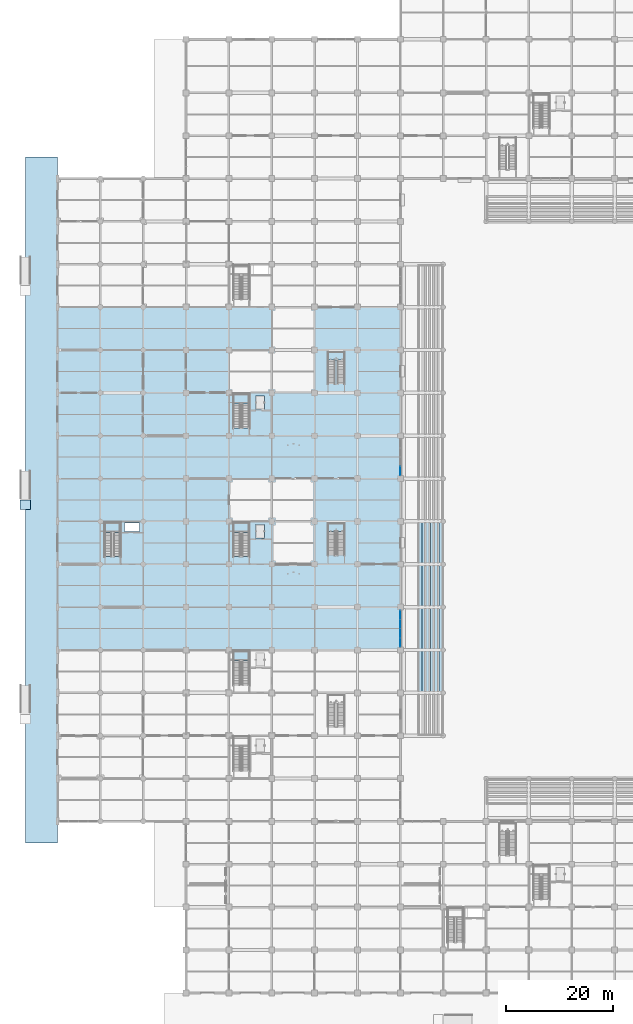
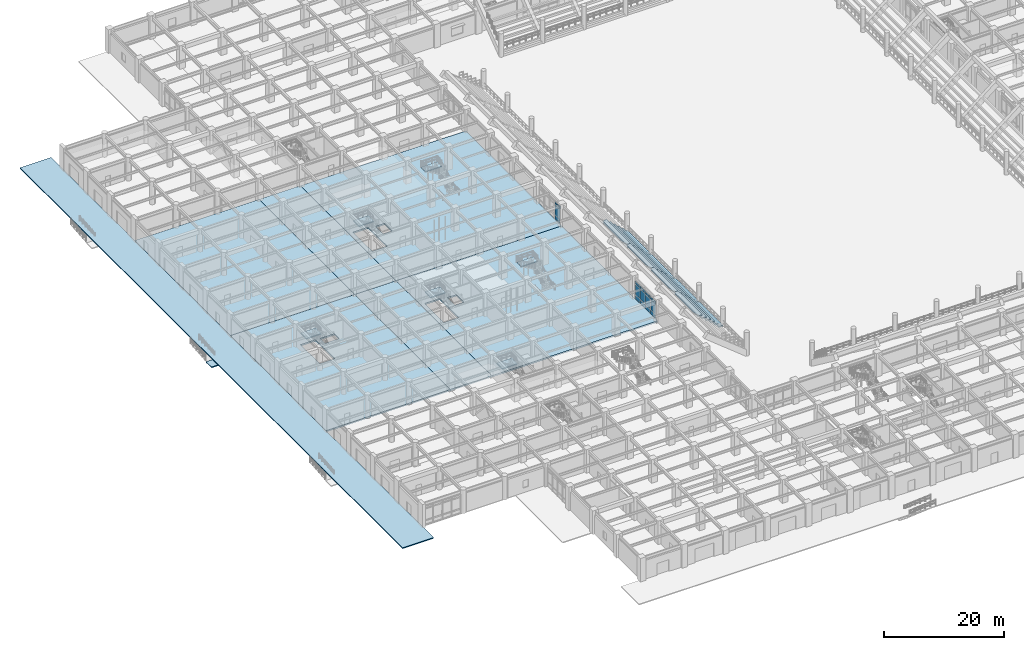
# One storey, part 60 of 125: 38 slabs, 15 plates, 8 elements without a shape of their own.
"""IFC4 building model written with IfcOpenShell, lengths in metres."""

from ifc_helpers import new_model, si_unit, direction, frame, origin, origin_2d, place, context, subcontext, project, spatial, polyline, rectangle, outline, extrude, material, layer, layer_set, type_object, element, aggregate, save


model = new_model("IFC4")

# Units and contexts
model_context = context("Model", 3, precision=1e-05, world=origin(), true_north=direction((0.0, 1.0)))
body_context = subcontext(model_context, "Body", "Model", "MODEL_VIEW")
ifc_project = project(units=[si_unit("LENGTHUNIT", "METRE"), si_unit("AREAUNIT", "SQUARE_METRE"), si_unit("VOLUMEUNIT", "CUBIC_METRE"), si_unit("PLANEANGLEUNIT", "RADIAN"), si_unit("MASSUNIT", "GRAM", prefix="KILO")], contexts=[model_context])

# Site, building, storey
site_placement = place(None, origin())
site = spatial("IfcSite", under=ifc_project, at=site_placement, CompositionType="ELEMENT")
building_placement = place(site_placement, origin())
building = spatial("IfcBuilding", under=site, at=building_placement, Name="Haebicheon Civic Stadium", CompositionType="ELEMENT")
storey_placement = place(building_placement, origin())
storey = spatial("IfcBuildingStorey", under=building, at=storey_placement, Name="L01", CompositionType="ELEMENT", Elevation=0.0)

# Curtain wall, plates
ifc_material_1 = material(Name="Anodised aluminium and laminated glass", Category="aluminium")
ifc_layer_1 = layer(ifc_material_1, 0.179931640625, Name="Anodised aluminium and laminated glass")
ifc_layer_set_1 = layer_set([ifc_layer_1], Name="Anodised aluminium and laminated glass")
curtain_wall_type = type_object("IfcCurtainWallType", Name="CW-6900x3620", PredefinedType="NOTDEFINED", material=ifc_layer_set_1)
curtain_wall_1_placement = place(storey_placement, origin())
curtain_wall_1 = element("IfcCurtainWall", 1, at=curtain_wall_1_placement, inside=storey, type_object=curtain_wall_type, material=ifc_layer_set_1, Name="L01 unitised curtain wall 006", PredefinedType="NOTDEFINED")
ifc_material_2 = material(Name="Double low-e laminated glass", Category="glass")
ifc_layer_2 = layer(ifc_material_2, 0.028076171875, Name="Double low-e laminated glass")
ifc_layer_set_2 = layer_set([ifc_layer_2], Name="Double low-e laminated glass")
plate_type_1 = type_object("IfcPlateType", Name="CWP-GLZ-28", PredefinedType="CURTAIN_PANEL", material=ifc_layer_set_2)
plate_1_placement = place(storey_placement, frame((64.0, 65.43310546875, 0.93994140625), z_axis=(0.0, 0.0, 1.0), x_axis=(0.0, 1.0, 0.0)))
plate_1 = element("IfcPlate", 2, at=plate_1_placement, type_object=plate_type_1, material=ifc_layer_set_2, Name="CW-L01-006 vision panel 1.2", PredefinedType="CURTAIN_PANEL", context=body_context, shape_type="SweptSolid", body=[
    extrude(rectangle(XDim=1.60498046875, YDim=0.028076171875, at=origin_2d()), origin(), (0.0, 0.0, 1.0), 2.090087890625),
])
plate_2_placement = place(storey_placement, frame((64.0, 67.137939453125, 0.93994140625), z_axis=(0.0, 0.0, 1.0), x_axis=(0.0, 1.0, 0.0)))
plate_2 = element("IfcPlate", 3, at=plate_2_placement, type_object=plate_type_1, material=ifc_layer_set_2, Name="CW-L01-006 vision panel 2.2", PredefinedType="CURTAIN_PANEL", context=body_context, shape_type="SweptSolid", body=[
    extrude(rectangle(XDim=1.64501953125, YDim=0.028076171875, at=origin_2d()), origin(), (0.0, 0.0, 1.0), 2.090087890625),
])
plate_3_placement = place(storey_placement, frame((64.0, 68.862060546875, 0.93994140625), z_axis=(0.0, 0.0, 1.0), x_axis=(0.0, 1.0, 0.0)))
plate_3 = element("IfcPlate", 4, at=plate_3_placement, type_object=plate_type_1, material=ifc_layer_set_2, Name="CW-L01-006 vision panel 3.2", PredefinedType="CURTAIN_PANEL", context=body_context, shape_type="SweptSolid", body=[
    extrude(rectangle(XDim=1.64501953125, YDim=0.028076171875, at=origin_2d()), origin(), (0.0, 0.0, 1.0), 2.090087890625),
])
plate_4_placement = place(storey_placement, frame((64.0, 70.568115234375, 0.93994140625), z_axis=(0.0, 0.0, 1.0), x_axis=(0.0, 1.0, 0.0)))
plate_4 = element("IfcPlate", 5, at=plate_4_placement, type_object=plate_type_1, material=ifc_layer_set_2, Name="CW-L01-006 vision panel 4.2", PredefinedType="CURTAIN_PANEL", context=body_context, shape_type="SweptSolid", body=[
    extrude(rectangle(XDim=1.60498046875, YDim=0.028076171875, at=origin_2d()), origin(), (0.0, 0.0, 1.0), 2.090087890625),
])

# Curtain wall, plate
curtain_wall_2_placement = place(storey_placement, origin())
curtain_wall_2 = element("IfcCurtainWall", 6, at=curtain_wall_2_placement, inside=storey, type_object=curtain_wall_type, material=ifc_layer_set_1, Name="L01 unitised curtain wall 007", PredefinedType="NOTDEFINED")
plate_5_placement = place(storey_placement, frame((64.0, 97.431884765625, 0.93994140625), z_axis=(0.0, 0.0, 1.0), x_axis=(0.0, 1.0, 0.0)))
plate_5 = element("IfcPlate", 7, at=plate_5_placement, type_object=plate_type_1, material=ifc_layer_set_2, Name="CW-L01-007 vision panel 1.2", PredefinedType="CURTAIN_PANEL", context=body_context, shape_type="SweptSolid", body=[
    extrude(rectangle(XDim=1.60498046875, YDim=0.028076171875, at=origin_2d()), origin(), (0.0, 0.0, 1.0), 2.090087890625),
])

# Plate
ifc_material_3 = material(Name="Anodised aluminium 6063-T6", Category="aluminium")
ifc_layer_3 = layer(ifc_material_3, 0.0439453125, Name="Anodised aluminium 6063-T6")
ifc_layer_set_3 = layer_set([ifc_layer_3], Name="Anodised aluminium 6063-T6")
plate_type_2 = type_object("IfcPlateType", Name="CWP-SPD-44", PredefinedType="CURTAIN_PANEL", material=ifc_layer_set_3)
plate_6_placement = place(storey_placement, frame((64.0, 65.43310546875, 0.0400390625), z_axis=(0.0, 0.0, 1.0), x_axis=(0.0, 1.0, 0.0)))
plate_6 = element("IfcPlate", 8, at=plate_6_placement, type_object=plate_type_2, material=ifc_layer_set_3, Name="CW-L01-006 spandrel panel 1.1", PredefinedType="CURTAIN_PANEL", context=body_context, shape_type="SweptSolid", body=[
    extrude(rectangle(XDim=1.60498046875, YDim=0.0439453125, at=origin_2d()), origin(), (0.0, 0.0, 1.0), 0.820068359375),
])

plate_7_placement = place(storey_placement, frame((64.0, 65.43310546875, 3.10986328125), z_axis=(0.0, 0.0, 1.0), x_axis=(0.0, 1.0, 0.0)))
plate_7 = element("IfcPlate", 9, at=plate_7_placement, type_object=plate_type_2, material=ifc_layer_set_3, Name="CW-L01-006 spandrel panel 1.3", PredefinedType="CURTAIN_PANEL", context=body_context, shape_type="SweptSolid", body=[
    extrude(rectangle(XDim=1.60498046875, YDim=0.0439453125, at=origin_2d()), origin(), (0.0, 0.0, 1.0), 0.469970703125),
])

plate_8_placement = place(storey_placement, frame((64.0, 67.137939453125, 0.0400390625), z_axis=(0.0, 0.0, 1.0), x_axis=(0.0, 1.0, 0.0)))
plate_8 = element("IfcPlate", 10, at=plate_8_placement, type_object=plate_type_2, material=ifc_layer_set_3, Name="CW-L01-006 spandrel panel 2.1", PredefinedType="CURTAIN_PANEL", context=body_context, shape_type="SweptSolid", body=[
    extrude(rectangle(XDim=1.64501953125, YDim=0.0439453125, at=origin_2d()), origin(), (0.0, 0.0, 1.0), 0.820068359375),
])

plate_9_placement = place(storey_placement, frame((64.0, 67.137939453125, 3.10986328125), z_axis=(0.0, 0.0, 1.0), x_axis=(0.0, 1.0, 0.0)))
plate_9 = element("IfcPlate", 11, at=plate_9_placement, type_object=plate_type_2, material=ifc_layer_set_3, Name="CW-L01-006 spandrel panel 2.3", PredefinedType="CURTAIN_PANEL", context=body_context, shape_type="SweptSolid", body=[
    extrude(rectangle(XDim=1.64501953125, YDim=0.0439453125, at=origin_2d()), origin(), (0.0, 0.0, 1.0), 0.469970703125),
])

plate_10_placement = place(storey_placement, frame((64.0, 68.862060546875, 0.0400390625), z_axis=(0.0, 0.0, 1.0), x_axis=(0.0, 1.0, 0.0)))
plate_10 = element("IfcPlate", 12, at=plate_10_placement, type_object=plate_type_2, material=ifc_layer_set_3, Name="CW-L01-006 spandrel panel 3.1", PredefinedType="CURTAIN_PANEL", context=body_context, shape_type="SweptSolid", body=[
    extrude(rectangle(XDim=1.64501953125, YDim=0.0439453125, at=origin_2d()), origin(), (0.0, 0.0, 1.0), 0.820068359375),
])

plate_11_placement = place(storey_placement, frame((64.0, 68.862060546875, 3.10986328125), z_axis=(0.0, 0.0, 1.0), x_axis=(0.0, 1.0, 0.0)))
plate_11 = element("IfcPlate", 13, at=plate_11_placement, type_object=plate_type_2, material=ifc_layer_set_3, Name="CW-L01-006 spandrel panel 3.3", PredefinedType="CURTAIN_PANEL", context=body_context, shape_type="SweptSolid", body=[
    extrude(rectangle(XDim=1.64501953125, YDim=0.0439453125, at=origin_2d()), origin(), (0.0, 0.0, 1.0), 0.469970703125),
])

plate_12_placement = place(storey_placement, frame((64.0, 70.568115234375, 0.0400390625), z_axis=(0.0, 0.0, 1.0), x_axis=(0.0, 1.0, 0.0)))
plate_12 = element("IfcPlate", 14, at=plate_12_placement, type_object=plate_type_2, material=ifc_layer_set_3, Name="CW-L01-006 spandrel panel 4.1", PredefinedType="CURTAIN_PANEL", context=body_context, shape_type="SweptSolid", body=[
    extrude(rectangle(XDim=1.60498046875, YDim=0.0439453125, at=origin_2d()), origin(), (0.0, 0.0, 1.0), 0.820068359375),
])

plate_13_placement = place(storey_placement, frame((64.0, 70.568115234375, 3.10986328125), z_axis=(0.0, 0.0, 1.0), x_axis=(0.0, 1.0, 0.0)))
plate_13 = element("IfcPlate", 15, at=plate_13_placement, type_object=plate_type_2, material=ifc_layer_set_3, Name="CW-L01-006 spandrel panel 4.3", PredefinedType="CURTAIN_PANEL", context=body_context, shape_type="SweptSolid", body=[
    extrude(rectangle(XDim=1.60498046875, YDim=0.0439453125, at=origin_2d()), origin(), (0.0, 0.0, 1.0), 0.469970703125),
])

aggregate(curtain_wall_1, [plate_6, plate_1, plate_7, plate_8, plate_2, plate_9, plate_10, plate_3, plate_11, plate_12, plate_4, plate_13])

plate_14_placement = place(storey_placement, frame((64.0, 97.431884765625, 0.0400390625), z_axis=(0.0, 0.0, 1.0), x_axis=(0.0, 1.0, 0.0)))
plate_14 = element("IfcPlate", 16, at=plate_14_placement, type_object=plate_type_2, material=ifc_layer_set_3, Name="CW-L01-007 spandrel panel 1.1", PredefinedType="CURTAIN_PANEL", context=body_context, shape_type="SweptSolid", body=[
    extrude(rectangle(XDim=1.60498046875, YDim=0.0439453125, at=origin_2d()), origin(), (0.0, 0.0, 1.0), 0.820068359375),
])

plate_15_placement = place(storey_placement, frame((64.0, 97.431884765625, 3.10986328125), z_axis=(0.0, 0.0, 1.0), x_axis=(0.0, 1.0, 0.0)))
plate_15 = element("IfcPlate", 17, at=plate_15_placement, type_object=plate_type_2, material=ifc_layer_set_3, Name="CW-L01-007 spandrel panel 1.3", PredefinedType="CURTAIN_PANEL", context=body_context, shape_type="SweptSolid", body=[
    extrude(rectangle(XDim=1.60498046875, YDim=0.0439453125, at=origin_2d()), origin(), (0.0, 0.0, 1.0), 0.469970703125),
])

aggregate(curtain_wall_2, [plate_14, plate_5, plate_15])

# Slabs
ifc_material_4 = material(Name="Concrete C40/50", Category="concrete")
ifc_layer_4 = layer(ifc_material_4, 0.300048828125, Name="Concrete C40/50")
ifc_layer_set_4 = layer_set([ifc_layer_4], Name="Concrete C40/50")
slab_type_1 = type_object("IfcSlabType", Name="SLB-FLR-300", PredefinedType="FLOOR", material=ifc_layer_set_4)
slab_1_placement = place(storey_placement, frame((0.0, 0.0, -0.300048828125)))
element("IfcSlab", 18, at=slab_1_placement, inside=storey, type_object=slab_type_1, material=ifc_layer_set_4, Name="L01 V1 structural slab 3.1", PredefinedType="FLOOR", context=body_context, shape_type="SweptSolid", body=[
    extrude(outline(polyline([(24.0, 64.0), (24.0, 72.0), (24.0, 80.0), (24.0, 88.0), (24.0, 96.0), (32.0, 96.0), (32.0, 88.0), (32.0, 80.0), (32.0, 72.0), (32.0, 64.0), (24.0, 64.0)])), origin(), (0.0, 0.0, 1.0), 0.300048828125),
])
slab_2_placement = place(storey_placement, frame((0.0, 0.0, -0.300048828125)))
element("IfcSlab", 19, at=slab_2_placement, inside=storey, type_object=slab_type_1, material=ifc_layer_set_4, Name="L01 V1 structural slab 4.1", PredefinedType="FLOOR", context=body_context, shape_type="SweptSolid", body=[
    extrude(outline(polyline([(24.0, 96.0), (24.0, 104.0), (24.0, 112.0), (24.0, 120.0), (24.0, 128.0), (32.0, 128.0), (32.0, 120.0), (32.0, 112.0), (32.0, 104.0), (32.0, 96.0), (24.0, 96.0)])), origin(), (0.0, 0.0, 1.0), 0.300048828125),
])
slab_3_placement = place(storey_placement, frame((0.0, 0.0, -0.300048828125)))
element("IfcSlab", 20, at=slab_3_placement, inside=storey, type_object=slab_type_1, material=ifc_layer_set_4, Name="L01 V1 structural slab 9.1", PredefinedType="FLOOR", context=body_context, shape_type="SweptSolid", body=[
    extrude(outline(polyline([(32.0, 88.0), (32.0, 96.0), (40.0, 96.0), (48.0, 96.0), (56.0, 96.0), (64.0, 96.0), (64.0, 88.0), (64.0, 80.0), (64.0, 72.0), (64.0, 64.0), (56.0, 64.0), (48.0, 64.0), (40.0, 64.0), (32.0, 64.0), (32.0, 72.0), (32.0, 80.0), (32.0, 88.0)]), holes=[polyline([(32.840087890625, 81.4599609375), (35.739990234375, 81.4599609375), (35.739990234375, 87.840087890625), (32.840087890625, 87.840087890625), (32.840087890625, 81.4599609375)]), polyline([(36.969970703125, 84.929931640625), (38.669921875, 84.929931640625), (38.669921875, 87.429931640625), (36.969970703125, 87.429931640625), (36.969970703125, 84.929931640625)])]), origin(), (0.0, 0.0, 1.0), 0.300048828125),
])
slab_4_placement = place(storey_placement, frame((0.0, 0.0, -0.300048828125)))
element("IfcSlab", 21, at=slab_4_placement, inside=storey, type_object=slab_type_1, material=ifc_layer_set_4, Name="L01 V1 structural slab 10.1", PredefinedType="FLOOR", context=body_context, shape_type="SweptSolid", body=[
    extrude(outline(polyline([(32.0, 120.0), (32.0, 128.0), (40.0, 128.0), (48.0, 128.0), (56.0, 128.0), (64.0, 128.0), (64.0, 120.0), (64.0, 112.0), (64.0, 104.0), (64.0, 96.0), (56.0, 96.0), (48.0, 96.0), (40.0, 96.0), (32.0, 96.0), (32.0, 104.0), (32.0, 112.0), (32.0, 120.0)]), holes=[polyline([(32.840087890625, 105.4599609375), (35.739990234375, 105.4599609375), (35.739990234375, 111.840087890625), (32.840087890625, 111.840087890625), (32.840087890625, 105.4599609375)]), polyline([(36.969970703125, 108.929931640625), (38.669921875, 108.929931640625), (38.669921875, 111.429931640625), (36.969970703125, 111.429931640625), (36.969970703125, 108.929931640625)])]), origin(), (0.0, 0.0, 1.0), 0.300048828125),
])
slab_5_placement = place(storey_placement, frame((0.0, 0.0, -0.300048828125)))
element("IfcSlab", 22, at=slab_5_placement, inside=storey, type_object=slab_type_1, material=ifc_layer_set_4, Name="L01 V5 structural slab 2.1", PredefinedType="FLOOR", context=body_context, shape_type="SweptSolid", body=[
    extrude(outline(polyline([(0.0, 80.0), (0.0, 88.0), (0.0, 96.0), (8.0, 96.0), (16.0, 96.0), (24.0, 96.0), (24.0, 88.0), (24.0, 80.0), (24.0, 72.0), (24.0, 64.0), (16.0, 64.0), (8.0, 64.0), (0.0, 64.0), (0.0, 72.0), (0.0, 80.0)]), holes=[polyline([(8.840087890625, 81.4599609375), (11.739990234375, 81.4599609375), (11.739990234375, 87.840087890625), (8.840087890625, 87.840087890625), (8.840087890625, 81.4599609375)]), polyline([(12.550048828125, 86.14990234375), (15.35009765625, 86.14990234375), (15.35009765625, 87.75), (12.550048828125, 87.75), (12.550048828125, 86.14990234375)])]), origin(), (0.0, 0.0, 1.0), 0.300048828125),
])
slab_6_placement = place(storey_placement, frame((0.0, 0.0, -0.300048828125)))
element("IfcSlab", 23, at=slab_6_placement, inside=storey, type_object=slab_type_1, material=ifc_layer_set_4, Name="L01 V5 structural slab 3.1", PredefinedType="FLOOR", context=body_context, shape_type="SweptSolid", body=[
    extrude(outline(polyline([(0.0, 112.0), (0.0, 120.0), (0.0, 128.0), (8.0, 128.0), (16.0, 128.0), (24.0, 128.0), (24.0, 120.0), (24.0, 112.0), (24.0, 104.0), (24.0, 96.0), (16.0, 96.0), (8.0, 96.0), (0.0, 96.0), (0.0, 104.0), (0.0, 112.0)])), origin(), (0.0, 0.0, 1.0), 0.300048828125),
])

# Stair, slab
ifc_material_5 = material(Name="Concrete C40/50", Category="concrete")
stair_type_1 = type_object("IfcStairType", Name="STR-DL-W128-H48", PredefinedType="HALF_TURN_STAIR", material=ifc_material_5)
stair_1_placement = place(storey_placement, origin())
stair_1 = element("IfcStair", 24, at=stair_1_placement, inside=storey, type_object=stair_type_1, material=ifc_material_5, Name="L01 Escape stair ST-02", PredefinedType="HALF_TURN_STAIR")
ifc_material_6 = material(Name="Concrete C40/50", Category="concrete")
ifc_layer_5 = layer(ifc_material_6, 0.199951171875, Name="Concrete C40/50")
ifc_layer_set_5 = layer_set([ifc_layer_5], Name="Concrete C40/50")
slab_type_2 = type_object("IfcSlabType", Name="SLB-LND-200", PredefinedType="LANDING", material=ifc_layer_set_5)
slab_7_placement = place(storey_placement, frame((0.0, 0.0, 2.199951171875)))
slab_7 = element("IfcSlab", 25, at=slab_7_placement, type_object=slab_type_2, material=ifc_layer_set_5, Name="ST-02 landing 1", PredefinedType="LANDING", context=body_context, shape_type="SweptSolid", body=[
    extrude(outline(polyline([(35.739990234375, 61.949951171875), (35.739990234375, 63.840087890625), (32.840087890625, 63.840087890625), (32.840087890625, 61.949951171875), (35.739990234375, 61.949951171875)])), origin(), (0.0, 0.0, 1.0), 0.199951171875),
])
aggregate(stair_1, [slab_7])

ifc_material_7 = material(Name="Concrete C40/50", Category="concrete")
stair_type_2 = type_object("IfcStairType", Name="STR-DL-W126-H48", PredefinedType="HALF_TURN_STAIR", material=ifc_material_7)
stair_2_placement = place(storey_placement, origin())
stair_2 = element("IfcStair", 26, at=stair_2_placement, inside=storey, type_object=stair_type_2, material=ifc_material_7, Name="L01 Escape stair ST-03", PredefinedType="HALF_TURN_STAIR")
slab_8_placement = place(storey_placement, frame((0.0, 0.0, 2.199951171875)))
slab_8 = element("IfcSlab", 27, at=slab_8_placement, type_object=slab_type_2, material=ifc_layer_set_5, Name="ST-03 landing 1", PredefinedType="LANDING", context=body_context, shape_type="SweptSolid", body=[
    extrude(outline(polyline([(35.739990234375, 85.949951171875), (35.739990234375, 87.840087890625), (32.840087890625, 87.840087890625), (32.840087890625, 85.949951171875), (35.739990234375, 85.949951171875)])), origin(), (0.0, 0.0, 1.0), 0.199951171875),
])
aggregate(stair_2, [slab_8])

stair_3_placement = place(storey_placement, origin())
stair_3 = element("IfcStair", 28, at=stair_3_placement, inside=storey, type_object=stair_type_1, material=ifc_material_5, Name="L01 Escape stair ST-04", PredefinedType="HALF_TURN_STAIR")
slab_9_placement = place(storey_placement, frame((0.0, 0.0, 2.199951171875)))
slab_9 = element("IfcSlab", 29, at=slab_9_placement, type_object=slab_type_2, material=ifc_layer_set_5, Name="ST-04 landing 1", PredefinedType="LANDING", context=body_context, shape_type="SweptSolid", body=[
    extrude(outline(polyline([(35.739990234375, 109.949951171875), (35.739990234375, 111.840087890625), (32.840087890625, 111.840087890625), (32.840087890625, 109.949951171875), (35.739990234375, 109.949951171875)])), origin(), (0.0, 0.0, 1.0), 0.199951171875),
])
aggregate(stair_3, [slab_9])

stair_4_placement = place(storey_placement, origin())
stair_4 = element("IfcStair", 30, at=stair_4_placement, inside=storey, type_object=stair_type_2, material=ifc_material_7, Name="L01 Escape stair ST-15", PredefinedType="HALF_TURN_STAIR")
slab_10_placement = place(storey_placement, frame((0.0, 0.0, 2.199951171875)))
slab_10 = element("IfcSlab", 31, at=slab_10_placement, type_object=slab_type_2, material=ifc_layer_set_5, Name="ST-15 landing 1", PredefinedType="LANDING", context=body_context, shape_type="SweptSolid", body=[
    extrude(outline(polyline([(11.739990234375, 85.949951171875), (11.739990234375, 87.840087890625), (8.840087890625, 87.840087890625), (8.840087890625, 85.949951171875), (11.739990234375, 85.949951171875)])), origin(), (0.0, 0.0, 1.0), 0.199951171875),
])
aggregate(stair_4, [slab_10])

ifc_material_8 = material(Name="Concrete C40/50", Category="concrete")
stair_type_3 = type_object("IfcStairType", Name="STR-DL-W140-H48", PredefinedType="HALF_TURN_STAIR", material=ifc_material_8)
stair_5_placement = place(storey_placement, origin())
stair_5 = element("IfcStair", 32, at=stair_5_placement, inside=storey, type_object=stair_type_3, material=ifc_material_8, Name="Vomitory stair VM-02 (L01)", PredefinedType="HALF_TURN_STAIR")
slab_11_placement = place(storey_placement, frame((0.0, 0.0, 2.199951171875)))
slab_11 = element("IfcSlab", 33, at=slab_11_placement, type_object=slab_type_2, material=ifc_layer_set_5, Name="VM-02 landing 1", PredefinedType="LANDING", context=body_context, shape_type="SweptSolid", body=[
    extrude(outline(polyline([(53.639892578125, 86.14990234375), (53.639892578125, 87.64990234375), (50.4599609375, 87.64990234375), (50.4599609375, 86.14990234375), (53.639892578125, 86.14990234375)])), origin(), (0.0, 0.0, 1.0), 0.199951171875),
])
aggregate(stair_5, [slab_11])

ifc_material_9 = material(Name="Concrete C40/50", Category="concrete")
stair_type_4 = type_object("IfcStairType", Name="STR-DL-W136-H48", PredefinedType="HALF_TURN_STAIR", material=ifc_material_9)
stair_6_placement = place(storey_placement, origin())
stair_6 = element("IfcStair", 34, at=stair_6_placement, inside=storey, type_object=stair_type_4, material=ifc_material_9, Name="Vomitory stair VM-03 (L01)", PredefinedType="HALF_TURN_STAIR")
slab_12_placement = place(storey_placement, frame((0.0, 0.0, 2.199951171875)))
slab_12 = element("IfcSlab", 35, at=slab_12_placement, type_object=slab_type_2, material=ifc_layer_set_5, Name="VM-03 landing 1", PredefinedType="LANDING", context=body_context, shape_type="SweptSolid", body=[
    extrude(outline(polyline([(53.639892578125, 118.14990234375), (53.639892578125, 119.64990234375), (50.4599609375, 119.64990234375), (50.4599609375, 118.14990234375), (53.639892578125, 118.14990234375)])), origin(), (0.0, 0.0, 1.0), 0.199951171875),
])
aggregate(stair_6, [slab_12])

# Slabs
ifc_material_10 = material(Name="Precast concrete C35/45", Category="concrete")
ifc_layer_6 = layer(ifc_material_10, 0.199951171875, Name="Precast concrete C35/45")
ifc_layer_set_6 = layer_set([ifc_layer_6], Name="Precast concrete C35/45")
slab_type_3 = type_object("IfcSlabType", Name="SLB-PAV-200", PredefinedType="BASESLAB", material=ifc_layer_set_6)
slab_13_placement = place(storey_placement, frame((0.0, 0.0, -0.199951171875)))
element("IfcSlab", 36, at=slab_13_placement, inside=storey, type_object=slab_type_3, material=ifc_layer_set_6, Name="Exterior plaza paving apron APR-WEST-BOUL", PredefinedType="BASESLAB", context=body_context, shape_type="SweptSolid", body=[
    extrude(outline(polyline([(0.0, 28.0), (-6.0, 28.0), (-6.0, 156.0), (0.0, 156.0), (0.0, 152.0048828125), (-0.0048828125, 152.0048828125), (-0.0048828125, 31.9951171875), (0.0, 31.9951171875), (0.0, 28.0)])), origin(), (0.0, 0.0, 1.0), 0.199951171875),
])
slab_14_placement = place(storey_placement, frame((0.0, 0.0, -0.64990234375)))
element("IfcSlab", 37, at=slab_14_placement, inside=storey, type_object=slab_type_3, material=ifc_layer_set_6, Name="Exterior paving ramp landing RMP-02", PredefinedType="BASESLAB", context=body_context, shape_type="SweptSolid", body=[
    extrude(outline(polyline([(-7.0, 90.199951171875), (-5.0, 90.199951171875), (-5.0, 92.0), (-7.0, 92.0), (-7.0, 90.199951171875)])), origin(), (0.0, 0.0, 1.0), 0.199951171875),
])
ifc_material_11 = material(Name="Precast concrete C40/50", Category="concrete")
ifc_layer_7 = layer(ifc_material_11, 0.239990234375, Name="Precast concrete C40/50")
ifc_layer_set_7 = layer_set([ifc_layer_7], Name="Precast concrete C40/50")
slab_type_4 = type_object("IfcSlabType", Name="SLB-TIER-240", PredefinedType="USERDEFINED", material=ifc_layer_set_7)
slab_15_placement = place(storey_placement, frame((0.0, 0.0, 0.9599609375)))
element("IfcSlab", 38, at=slab_15_placement, inside=storey, type_object=slab_type_4, material=ifc_layer_set_7, Name="TIER-W-L precast seating tier bay 2 row-band 1", ObjectType="SEATING TIER", PredefinedType="USERDEFINED", context=body_context, shape_type="SweptSolid", body=[
    extrude(outline(polyline([(71.199951171875, 56.0), (72.0, 56.0), (72.0, 64.0), (71.199951171875, 64.0), (71.199951171875, 56.0)])), origin(), (0.0, 0.0, 1.0), 0.239990234375),
])
slab_16_placement = place(storey_placement, frame((0.0, 0.0, 1.6708984375)))
element("IfcSlab", 39, at=slab_16_placement, inside=storey, type_object=slab_type_4, material=ifc_layer_set_7, Name="TIER-W-L precast seating tier bay 2 row-band 2", ObjectType="SEATING TIER", PredefinedType="USERDEFINED", context=body_context, shape_type="SweptSolid", body=[
    extrude(outline(polyline([(70.39990234375, 56.0), (71.199951171875, 56.0), (71.199951171875, 64.0), (70.39990234375, 64.0), (70.39990234375, 56.0)])), origin(), (0.0, 0.0, 1.0), 0.239990234375),
])
slab_17_placement = place(storey_placement, frame((0.0, 0.0, 2.382080078125)))
element("IfcSlab", 40, at=slab_17_placement, inside=storey, type_object=slab_type_4, material=ifc_layer_set_7, Name="TIER-W-L precast seating tier bay 2 row-band 3", ObjectType="SEATING TIER", PredefinedType="USERDEFINED", context=body_context, shape_type="SweptSolid", body=[
    extrude(outline(polyline([(69.60009765625, 56.0), (70.39990234375, 56.0), (70.39990234375, 64.0), (69.60009765625, 64.0), (69.60009765625, 56.0)])), origin(), (0.0, 0.0, 1.0), 0.239990234375),
])
slab_18_placement = place(storey_placement, frame((0.0, 0.0, 3.093017578125)))
element("IfcSlab", 41, at=slab_18_placement, inside=storey, type_object=slab_type_4, material=ifc_layer_set_7, Name="TIER-W-L precast seating tier bay 2 row-band 4", ObjectType="SEATING TIER", PredefinedType="USERDEFINED", context=body_context, shape_type="SweptSolid", body=[
    extrude(outline(polyline([(68.800048828125, 56.0), (69.60009765625, 56.0), (69.60009765625, 64.0), (68.800048828125, 64.0), (68.800048828125, 56.0)])), origin(), (0.0, 0.0, 1.0), 0.239990234375),
])
slab_19_placement = place(storey_placement, frame((0.0, 0.0, 3.803955078125)))
element("IfcSlab", 42, at=slab_19_placement, inside=storey, type_object=slab_type_4, material=ifc_layer_set_7, Name="TIER-W-L precast seating tier bay 2 row-band 5", ObjectType="SEATING TIER", PredefinedType="USERDEFINED", context=body_context, shape_type="SweptSolid", body=[
    extrude(outline(polyline([(68.0, 56.0), (68.800048828125, 56.0), (68.800048828125, 64.0), (68.0, 64.0), (68.0, 56.0)])), origin(), (0.0, 0.0, 1.0), 0.239990234375),
])
slab_20_placement = place(storey_placement, frame((0.0, 0.0, 4.51611328125)))
element("IfcSlab", 43, at=slab_20_placement, inside=storey, type_object=slab_type_4, material=ifc_layer_set_7, Name="TIER-W-L precast seating tier bay 2 row-band 6", ObjectType="SEATING TIER", PredefinedType="USERDEFINED", context=body_context, shape_type="SweptSolid", body=[
    extrude(outline(polyline([(67.199951171875, 56.0), (68.0, 56.0), (68.0, 64.0), (67.199951171875, 64.0), (67.199951171875, 56.0)])), origin(), (0.0, 0.0, 1.0), 0.239990234375),
])
slab_21_placement = place(storey_placement, frame((0.0, 0.0, 0.9599609375)))
element("IfcSlab", 44, at=slab_21_placement, inside=storey, type_object=slab_type_4, material=ifc_layer_set_7, Name="TIER-W-L precast seating tier bay 3 row-band 1", ObjectType="SEATING TIER", PredefinedType="USERDEFINED", context=body_context, shape_type="SweptSolid", body=[
    extrude(outline(polyline([(71.199951171875, 64.0), (72.0, 64.0), (72.0, 72.0), (71.199951171875, 72.0), (71.199951171875, 64.0)])), origin(), (0.0, 0.0, 1.0), 0.239990234375),
])
slab_22_placement = place(storey_placement, frame((0.0, 0.0, 1.6708984375)))
element("IfcSlab", 45, at=slab_22_placement, inside=storey, type_object=slab_type_4, material=ifc_layer_set_7, Name="TIER-W-L precast seating tier bay 3 row-band 2", ObjectType="SEATING TIER", PredefinedType="USERDEFINED", context=body_context, shape_type="SweptSolid", body=[
    extrude(outline(polyline([(70.39990234375, 64.0), (71.199951171875, 64.0), (71.199951171875, 72.0), (70.39990234375, 72.0), (70.39990234375, 64.0)])), origin(), (0.0, 0.0, 1.0), 0.239990234375),
])
slab_23_placement = place(storey_placement, frame((0.0, 0.0, 2.382080078125)))
element("IfcSlab", 46, at=slab_23_placement, inside=storey, type_object=slab_type_4, material=ifc_layer_set_7, Name="TIER-W-L precast seating tier bay 3 row-band 3", ObjectType="SEATING TIER", PredefinedType="USERDEFINED", context=body_context, shape_type="SweptSolid", body=[
    extrude(outline(polyline([(69.60009765625, 64.0), (70.39990234375, 64.0), (70.39990234375, 72.0), (69.60009765625, 72.0), (69.60009765625, 64.0)])), origin(), (0.0, 0.0, 1.0), 0.239990234375),
])
slab_24_placement = place(storey_placement, frame((0.0, 0.0, 3.093017578125)))
element("IfcSlab", 47, at=slab_24_placement, inside=storey, type_object=slab_type_4, material=ifc_layer_set_7, Name="TIER-W-L precast seating tier bay 3 row-band 4", ObjectType="SEATING TIER", PredefinedType="USERDEFINED", context=body_context, shape_type="SweptSolid", body=[
    extrude(outline(polyline([(68.800048828125, 64.0), (69.60009765625, 64.0), (69.60009765625, 72.0), (68.800048828125, 72.0), (68.800048828125, 64.0)])), origin(), (0.0, 0.0, 1.0), 0.239990234375),
])
slab_25_placement = place(storey_placement, frame((0.0, 0.0, 3.803955078125)))
element("IfcSlab", 48, at=slab_25_placement, inside=storey, type_object=slab_type_4, material=ifc_layer_set_7, Name="TIER-W-L precast seating tier bay 3 row-band 5", ObjectType="SEATING TIER", PredefinedType="USERDEFINED", context=body_context, shape_type="SweptSolid", body=[
    extrude(outline(polyline([(68.0, 64.0), (68.800048828125, 64.0), (68.800048828125, 72.0), (68.0, 72.0), (68.0, 64.0)])), origin(), (0.0, 0.0, 1.0), 0.239990234375),
])
slab_26_placement = place(storey_placement, frame((0.0, 0.0, 4.51611328125)))
element("IfcSlab", 49, at=slab_26_placement, inside=storey, type_object=slab_type_4, material=ifc_layer_set_7, Name="TIER-W-L precast seating tier bay 3 row-band 6", ObjectType="SEATING TIER", PredefinedType="USERDEFINED", context=body_context, shape_type="SweptSolid", body=[
    extrude(outline(polyline([(67.199951171875, 64.0), (68.0, 64.0), (68.0, 72.0), (67.199951171875, 72.0), (67.199951171875, 64.0)])), origin(), (0.0, 0.0, 1.0), 0.239990234375),
])
slab_27_placement = place(storey_placement, frame((0.0, 0.0, 0.9599609375)))
element("IfcSlab", 50, at=slab_27_placement, inside=storey, type_object=slab_type_4, material=ifc_layer_set_7, Name="TIER-W-L precast seating tier bay 4 row-band 1", ObjectType="SEATING TIER", PredefinedType="USERDEFINED", context=body_context, shape_type="SweptSolid", body=[
    extrude(outline(polyline([(71.199951171875, 72.0), (72.0, 72.0), (72.0, 80.0), (71.199951171875, 80.0), (71.199951171875, 72.0)])), origin(), (0.0, 0.0, 1.0), 0.239990234375),
])
slab_28_placement = place(storey_placement, frame((0.0, 0.0, 1.6708984375)))
element("IfcSlab", 51, at=slab_28_placement, inside=storey, type_object=slab_type_4, material=ifc_layer_set_7, Name="TIER-W-L precast seating tier bay 4 row-band 2", ObjectType="SEATING TIER", PredefinedType="USERDEFINED", context=body_context, shape_type="SweptSolid", body=[
    extrude(outline(polyline([(70.39990234375, 72.0), (71.199951171875, 72.0), (71.199951171875, 80.0), (70.39990234375, 80.0), (70.39990234375, 72.0)])), origin(), (0.0, 0.0, 1.0), 0.239990234375),
])
slab_29_placement = place(storey_placement, frame((0.0, 0.0, 2.382080078125)))
element("IfcSlab", 52, at=slab_29_placement, inside=storey, type_object=slab_type_4, material=ifc_layer_set_7, Name="TIER-W-L precast seating tier bay 4 row-band 3", ObjectType="SEATING TIER", PredefinedType="USERDEFINED", context=body_context, shape_type="SweptSolid", body=[
    extrude(outline(polyline([(69.60009765625, 72.0), (70.39990234375, 72.0), (70.39990234375, 80.0), (69.60009765625, 80.0), (69.60009765625, 72.0)])), origin(), (0.0, 0.0, 1.0), 0.239990234375),
])
slab_30_placement = place(storey_placement, frame((0.0, 0.0, 3.093017578125)))
element("IfcSlab", 53, at=slab_30_placement, inside=storey, type_object=slab_type_4, material=ifc_layer_set_7, Name="TIER-W-L precast seating tier bay 4 row-band 4", ObjectType="SEATING TIER", PredefinedType="USERDEFINED", context=body_context, shape_type="SweptSolid", body=[
    extrude(outline(polyline([(68.800048828125, 72.0), (69.60009765625, 72.0), (69.60009765625, 80.0), (68.800048828125, 80.0), (68.800048828125, 72.0)])), origin(), (0.0, 0.0, 1.0), 0.239990234375),
])
slab_31_placement = place(storey_placement, frame((0.0, 0.0, 3.803955078125)))
element("IfcSlab", 54, at=slab_31_placement, inside=storey, type_object=slab_type_4, material=ifc_layer_set_7, Name="TIER-W-L precast seating tier bay 4 row-band 5", ObjectType="SEATING TIER", PredefinedType="USERDEFINED", context=body_context, shape_type="SweptSolid", body=[
    extrude(outline(polyline([(68.0, 72.0), (68.800048828125, 72.0), (68.800048828125, 80.0), (68.0, 80.0), (68.0, 72.0)])), origin(), (0.0, 0.0, 1.0), 0.239990234375),
])
slab_32_placement = place(storey_placement, frame((0.0, 0.0, 4.51611328125)))
element("IfcSlab", 55, at=slab_32_placement, inside=storey, type_object=slab_type_4, material=ifc_layer_set_7, Name="TIER-W-L precast seating tier bay 4 row-band 6", ObjectType="SEATING TIER", PredefinedType="USERDEFINED", context=body_context, shape_type="SweptSolid", body=[
    extrude(outline(polyline([(67.199951171875, 72.0), (68.0, 72.0), (68.0, 80.0), (67.199951171875, 80.0), (67.199951171875, 72.0)])), origin(), (0.0, 0.0, 1.0), 0.239990234375),
])
slab_33_placement = place(storey_placement, frame((0.0, 0.0, 0.9599609375)))
element("IfcSlab", 56, at=slab_33_placement, inside=storey, type_object=slab_type_4, material=ifc_layer_set_7, Name="TIER-W-L precast seating tier bay 5 row-band 1", ObjectType="SEATING TIER", PredefinedType="USERDEFINED", context=body_context, shape_type="SweptSolid", body=[
    extrude(outline(polyline([(71.199951171875, 80.0), (72.0, 80.0), (72.0, 88.0), (71.199951171875, 88.0), (71.199951171875, 80.0)])), origin(), (0.0, 0.0, 1.0), 0.239990234375),
])
slab_34_placement = place(storey_placement, frame((0.0, 0.0, 1.6708984375)))
element("IfcSlab", 57, at=slab_34_placement, inside=storey, type_object=slab_type_4, material=ifc_layer_set_7, Name="TIER-W-L precast seating tier bay 5 row-band 2", ObjectType="SEATING TIER", PredefinedType="USERDEFINED", context=body_context, shape_type="SweptSolid", body=[
    extrude(outline(polyline([(70.39990234375, 80.0), (71.199951171875, 80.0), (71.199951171875, 88.0), (70.39990234375, 88.0), (70.39990234375, 80.0)])), origin(), (0.0, 0.0, 1.0), 0.239990234375),
])
slab_35_placement = place(storey_placement, frame((0.0, 0.0, 2.382080078125)))
element("IfcSlab", 58, at=slab_35_placement, inside=storey, type_object=slab_type_4, material=ifc_layer_set_7, Name="TIER-W-L precast seating tier bay 5 row-band 3", ObjectType="SEATING TIER", PredefinedType="USERDEFINED", context=body_context, shape_type="SweptSolid", body=[
    extrude(outline(polyline([(69.60009765625, 80.0), (70.39990234375, 80.0), (70.39990234375, 88.0), (69.60009765625, 88.0), (69.60009765625, 80.0)])), origin(), (0.0, 0.0, 1.0), 0.239990234375),
])
slab_36_placement = place(storey_placement, frame((0.0, 0.0, 3.093017578125)))
element("IfcSlab", 59, at=slab_36_placement, inside=storey, type_object=slab_type_4, material=ifc_layer_set_7, Name="TIER-W-L precast seating tier bay 5 row-band 4", ObjectType="SEATING TIER", PredefinedType="USERDEFINED", context=body_context, shape_type="SweptSolid", body=[
    extrude(outline(polyline([(68.800048828125, 80.0), (69.60009765625, 80.0), (69.60009765625, 88.0), (68.800048828125, 88.0), (68.800048828125, 80.0)])), origin(), (0.0, 0.0, 1.0), 0.239990234375),
])
slab_37_placement = place(storey_placement, frame((0.0, 0.0, 3.803955078125)))
element("IfcSlab", 60, at=slab_37_placement, inside=storey, type_object=slab_type_4, material=ifc_layer_set_7, Name="TIER-W-L precast seating tier bay 5 row-band 5", ObjectType="SEATING TIER", PredefinedType="USERDEFINED", context=body_context, shape_type="SweptSolid", body=[
    extrude(outline(polyline([(68.0, 80.0), (68.800048828125, 80.0), (68.800048828125, 88.0), (68.0, 88.0), (68.0, 80.0)])), origin(), (0.0, 0.0, 1.0), 0.239990234375),
])
slab_38_placement = place(storey_placement, frame((0.0, 0.0, 4.51611328125)))
element("IfcSlab", 61, at=slab_38_placement, inside=storey, type_object=slab_type_4, material=ifc_layer_set_7, Name="TIER-W-L precast seating tier bay 5 row-band 6", ObjectType="SEATING TIER", PredefinedType="USERDEFINED", context=body_context, shape_type="SweptSolid", body=[
    extrude(outline(polyline([(67.199951171875, 80.0), (68.0, 80.0), (68.0, 88.0), (67.199951171875, 88.0), (67.199951171875, 80.0)])), origin(), (0.0, 0.0, 1.0), 0.239990234375),
])

save(model, "model.ifc")
